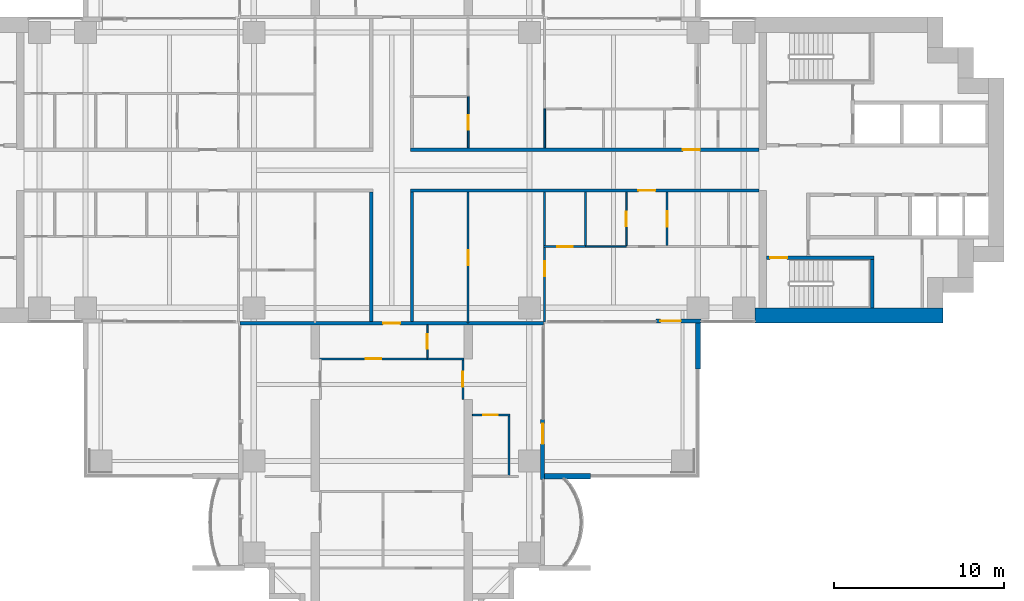
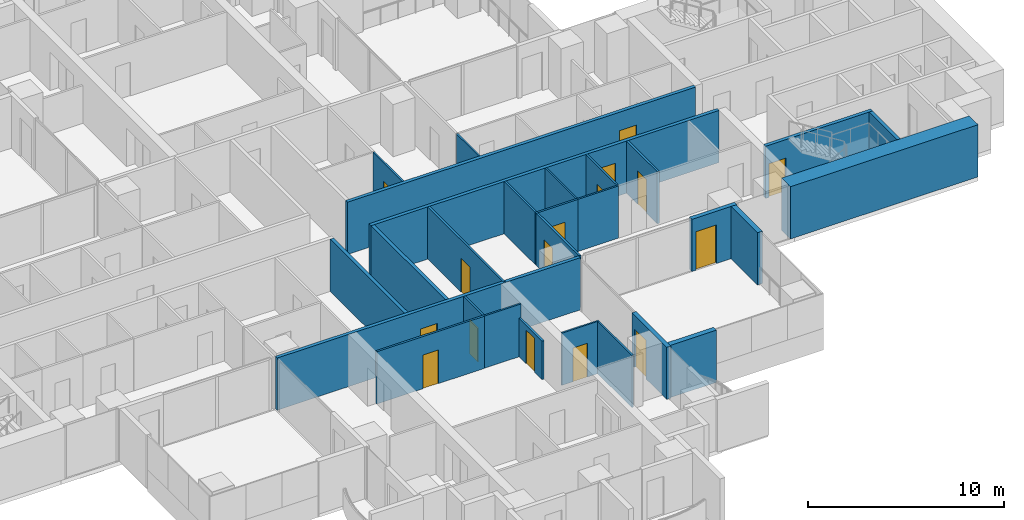
# One storey, part 12 of 20: 27 walls, 16 doors, 16 openings.
"""IFC4 building model written with IfcOpenShell, lengths in metres."""

from ifc_helpers import new_model, si_unit, direction, frame, frame_2d, origin, place, context, subcontext, project, spatial, rectangle, extrude, material, layer, layer_set, type_object, element, fill, save


model = new_model("IFC4")

# Units and contexts
model_context = context("Model", 3, precision=1e-05, world=origin(), true_north=direction((0.0, 1.0)))
body_context = subcontext(model_context, "Body", "Model", "MODEL_VIEW")
ifc_project = project(units=[si_unit("LENGTHUNIT", "METRE"), si_unit("AREAUNIT", "SQUARE_METRE"), si_unit("VOLUMEUNIT", "CUBIC_METRE"), si_unit("PLANEANGLEUNIT", "RADIAN"), si_unit("MASSUNIT", "GRAM", prefix="KILO")], contexts=[model_context])

# Site, building, storey
site_placement = place(None, origin())
site = spatial("IfcSite", under=ifc_project, at=site_placement, CompositionType="ELEMENT")
building_placement = place(site_placement, origin())
building = spatial("IfcBuilding", under=site, at=building_placement, Name="Perihelion Cross Residences", CompositionType="ELEMENT")
storey_placement = place(building_placement, frame((0.0, 0.0, 71.5)))
storey = spatial("IfcBuildingStorey", under=building, at=storey_placement, Name="L15", CompositionType="ELEMENT", Elevation=71.5)

# Wall, opening, door
ifc_material_1 = material(Name="Plasterboard partition")
ifc_layer_1 = layer(ifc_material_1, 0.199951171875)
ifc_layer_set_1 = layer_set([ifc_layer_1], Name="Apartment separation wall 200")
wall_type_1 = type_object("IfcWallType", Name="Apartment separation wall 200", PredefinedType="PARTITIONING", material=ifc_layer_set_1)
wall_1_placement = place(storey_placement, frame((1.10009765625, 1.199951171875, 0.0), z_axis=(0.0, 0.0, 1.0), x_axis=(1.0, 0.0, 0.0)))
wall_1 = element("IfcWall", 1, at=wall_1_placement, inside=storey, type_object=wall_type_1, Name="Partition L15 W001", PredefinedType="PARTITIONING", context=body_context, shape_type="SweptSolid", body=[
    extrude(rectangle(XDim=20.5, YDim=0.199951171875, at=frame_2d((10.25, 0.0))), origin(), (0.0, 0.0, 1.0), 3.25),
])
opening_1_placement = place(wall_1_placement, frame((16.02490234375, 0.0, 0.0)))
opening_1 = element("IfcOpeningElement", 2, at=opening_1_placement, cuts=wall_1, Name="Opening L15.A46", PredefinedType="OPENING", context=body_context, shape_type="SweptSolid", body=[
    extrude(rectangle(XDim=1.0, YDim=2.10009765625, at=frame_2d((0.5, 1.050048828125))), frame((0.0, 0.10986328125, 0.0), z_axis=(0.0, -1.0, 0.0), x_axis=(1.0, 0.0, 0.0)), (0.0, 0.0, 1.0), 0.219970703125),
])
ifc_material_2 = material(Name="Timber door leaf", Category="wood")
door_type_1 = type_object("IfcDoorType", Name="Flat entrance door 1000 x 2100", OperationType="SINGLE_SWING_LEFT", PredefinedType="DOOR", material=ifc_material_2)
door_1_placement = place(opening_1_placement, origin())
door_1 = element("IfcDoor", 3, at=door_1_placement, inside=storey, type_object=door_type_1, Name="Door L15.A46", OperationType="SINGLE_SWING_RIGHT", OverallHeight=2.10009765625, OverallWidth=1.0, PredefinedType="DOOR", context=body_context, shape_type="SweptSolid", body=[
    extrude(rectangle(XDim=1.0, YDim=2.10009765625, at=frame_2d((0.5, 1.050048828125))), frame((0.0, 0.02490234375, 0.0), z_axis=(0.0, -1.0, 0.0), x_axis=(1.0, 0.0, 0.0)), (0.0, 0.0, 1.0), 0.050048828125),
])
fill(opening_1, door_1)

wall_2_placement = place(storey_placement, frame((21.60009765625, -1.199951171875, 0.0), z_axis=(0.0, 0.0, 1.0), x_axis=(-1.0, 0.0, 0.0)))
wall_2 = element("IfcWall", 4, at=wall_2_placement, inside=storey, type_object=wall_type_1, Name="Partition L15 W003", PredefinedType="PARTITIONING", context=body_context, shape_type="SweptSolid", body=[
    extrude(rectangle(XDim=20.5, YDim=0.199951171875, at=frame_2d((10.25, 0.0))), origin(), (0.0, 0.0, 1.0), 3.25),
])
opening_2_placement = place(wall_2_placement, frame((6.10009765625, 0.0, 0.0)))
opening_2 = element("IfcOpeningElement", 5, at=opening_2_placement, cuts=wall_2, Name="Opening L15.A47", PredefinedType="OPENING", context=body_context, shape_type="SweptSolid", body=[
    extrude(rectangle(XDim=1.0, YDim=2.10009765625, at=frame_2d((0.5, 1.050048828125))), frame((0.0, 0.10986328125, 0.0), z_axis=(0.0, -1.0, 0.0), x_axis=(1.0, 0.0, 0.0)), (0.0, 0.0, 1.0), 0.219970703125),
])
door_2_placement = place(opening_2_placement, origin())
door_2 = element("IfcDoor", 6, at=door_2_placement, inside=storey, type_object=door_type_1, Name="Door L15.A47", OperationType="SINGLE_SWING_LEFT", OverallHeight=2.10009765625, OverallWidth=1.0, PredefinedType="DOOR", context=body_context, shape_type="SweptSolid", body=[
    extrude(rectangle(XDim=1.0, YDim=2.10009765625, at=frame_2d((0.5, 1.050048828125))), frame((0.0, 0.02490234375, 0.0), z_axis=(0.0, -1.0, 0.0), x_axis=(1.0, 0.0, 0.0)), (0.0, 0.0, 1.0), 0.050048828125),
])
fill(opening_2, door_2)

# Walls
for number, where, z_axis, x_axis, name in (
    (7, (1.199951171875, -1.300048828125, 0.0), (0.0, 0.0, 1.0), (0.0, -1.0, 0.0), "Partition L15 W004"),
    (8, (-1.199951171875, -8.89990234375, 0.0), (0.0, 0.0, 1.0), (0.0, 1.0, 0.0), "Partition L15 W008"),
):
    element("IfcWall", number, at=place(storey_placement, frame(where, z_axis=z_axis, x_axis=x_axis)), inside=storey, type_object=wall_type_1, Name=name, PredefinedType="PARTITIONING", context=body_context, shape_type="SweptSolid", body=[
        extrude(rectangle(XDim=7.599853515625, YDim=0.199951171875, at=frame_2d((3.7998046875, 0.0))), origin(), (0.0, 0.0, 1.0), 3.25),
    ])

# Wall, opening, door
wall_3_placement = place(storey_placement, frame((8.919921875, -9.0, 0.0), z_axis=(0.0, 0.0, 1.0), x_axis=(-1.0, 0.0, 0.0)))
wall_3 = element("IfcWall", 9, at=wall_3_placement, inside=storey, type_object=wall_type_1, Name="Partition L15 W010", PredefinedType="PARTITIONING", context=body_context, shape_type="SweptSolid", body=[
    extrude(rectangle(XDim=17.83984375, YDim=0.199951171875, at=frame_2d((8.919921875, 0.0))), origin(), (0.0, 0.0, 1.0), 3.25),
])
opening_3_placement = place(wall_3_placement, frame((8.419921875, 0.0, 0.0)))
opening_3 = element("IfcOpeningElement", 10, at=opening_3_placement, cuts=wall_3, Name="Opening L15.A39", PredefinedType="OPENING", context=body_context, shape_type="SweptSolid", body=[
    extrude(rectangle(XDim=1.0, YDim=2.10009765625, at=frame_2d((0.5, 1.050048828125))), frame((0.0, 0.10986328125, 0.0), z_axis=(0.0, -1.0, 0.0), x_axis=(1.0, 0.0, 0.0)), (0.0, 0.0, 1.0), 0.219970703125),
])
door_3_placement = place(opening_3_placement, origin())
door_3 = element("IfcDoor", 11, at=door_3_placement, inside=storey, type_object=door_type_1, Name="Door L15.A39", OperationType="SINGLE_SWING_LEFT", OverallHeight=2.10009765625, OverallWidth=1.0, PredefinedType="DOOR", context=body_context, shape_type="SweptSolid", body=[
    extrude(rectangle(XDim=1.0, YDim=2.10009765625, at=frame_2d((0.5, 1.050048828125))), frame((0.0, 0.02490234375, 0.0), z_axis=(0.0, -1.0, 0.0), x_axis=(1.0, 0.0, 0.0)), (0.0, 0.0, 1.0), 0.050048828125),
])
fill(opening_3, door_3)

ifc_material_3 = material(Name="Concrete C30/37, bronze-clad", Category="concrete")
ifc_layer_2 = layer(ifc_material_3, 0.25)
ifc_layer_set_2 = layer_set([ifc_layer_2], Name="Bronze-clad pier wall 250")
wall_type_2 = type_object("IfcWallType", Name="Bronze-clad pier wall 250", PredefinedType="SOLIDWALL", material=ifc_layer_set_2)
wall_4_placement = place(storey_placement, frame((8.875, -18.199951171875, 0.0), z_axis=(0.0, 0.0, 1.0), x_axis=(0.0, 1.0, 0.0)))
wall_4 = element("IfcWall", 12, at=wall_4_placement, inside=storey, type_object=wall_type_2, Name="Wall FW1 L15 south side east bay 2 pier", PredefinedType="SOLIDWALL", context=body_context, shape_type="SweptSolid", body=[
    extrude(rectangle(XDim=3.550048828125, YDim=0.25, at=frame_2d((1.77490234375, 0.0))), origin(), (0.0, 0.0, 1.0), 3.25),
])
opening_4_placement = place(wall_4_placement, frame((2.10009765625, 0.0, 0.0)))
opening_4 = element("IfcOpeningElement", 13, at=opening_4_placement, cuts=wall_4, Name="Opening L15.E15", PredefinedType="OPENING", context=body_context, shape_type="SweptSolid", body=[
    extrude(rectangle(XDim=1.199951171875, YDim=2.39990234375, at=frame_2d((0.60009765625, 1.199951171875))), frame((0.0, 0.135009765625, 0.0), z_axis=(0.0, -1.0, 0.0), x_axis=(1.0, 0.0, 0.0)), (0.0, 0.0, 1.0), 0.27001953125),
])
ifc_material_4 = material(Name="Bronze anodised aluminium, glazed", Category="aluminium")
door_type_2 = type_object("IfcDoorType", Name="Balcony door 1200 x 2400", OperationType="NOTDEFINED", PredefinedType="DOOR", material=ifc_material_4)
door_4_placement = place(opening_4_placement, origin())
door_4 = element("IfcDoor", 14, at=door_4_placement, inside=storey, type_object=door_type_2, Name="Door L15.E15 south side east bay 2", OperationType="SINGLE_SWING_RIGHT", OverallHeight=2.39990234375, OverallWidth=1.199951171875, PredefinedType="DOOR", context=body_context, shape_type="SweptSolid", body=[
    extrude(rectangle(XDim=1.199951171875, YDim=2.39990234375, at=frame_2d((0.60009765625, 1.199951171875))), frame((0.0, 0.02490234375, 0.0), z_axis=(0.0, -1.0, 0.0), x_axis=(1.0, 0.0, 0.0)), (0.0, 0.0, 1.0), 0.050048828125),
])
fill(opening_4, door_4)

wall_5_placement = place(storey_placement, frame((15.550048828125, -8.875, 0.0), z_axis=(0.0, 0.0, 1.0), x_axis=(1.0, 0.0, 0.0)))
wall_5 = element("IfcWall", 15, at=wall_5_placement, inside=storey, type_object=wall_type_2, Name="Wall FW1 L15 east side south bay 1 pier", PredefinedType="SOLIDWALL", context=body_context, shape_type="SweptSolid", body=[
    extrude(rectangle(XDim=2.64990234375, YDim=0.25, at=frame_2d((1.324951171875, 0.0))), origin(), (0.0, 0.0, 1.0), 3.25),
])
opening_5_placement = place(wall_5_placement, frame((0.25, 0.0, 0.0)))
opening_5 = element("IfcOpeningElement", 16, at=opening_5_placement, cuts=wall_5, Name="Opening L15.E16", PredefinedType="OPENING", context=body_context, shape_type="SweptSolid", body=[
    extrude(rectangle(XDim=1.199951171875, YDim=2.39990234375, at=frame_2d((0.60009765625, 1.199951171875))), frame((0.0, 0.135009765625, 0.0), z_axis=(0.0, -1.0, 0.0), x_axis=(1.0, 0.0, 0.0)), (0.0, 0.0, 1.0), 0.27001953125),
])
door_5_placement = place(opening_5_placement, origin())
door_5 = element("IfcDoor", 17, at=door_5_placement, inside=storey, type_object=door_type_2, Name="Door L15.E16 east side south bay 1", OperationType="SINGLE_SWING_LEFT", OverallHeight=2.39990234375, OverallWidth=1.199951171875, PredefinedType="DOOR", context=body_context, shape_type="SweptSolid", body=[
    extrude(rectangle(XDim=1.199951171875, YDim=2.39990234375, at=frame_2d((0.60009765625, 1.199951171875))), frame((0.0, 0.02490234375, 0.0), z_axis=(0.0, -1.0, 0.0), x_axis=(1.0, 0.0, 0.0)), (0.0, 0.0, 1.0), 0.050048828125),
])
fill(opening_5, door_5)

# Wall
ifc_material_5 = material(Name="Concrete C60/75", Category="concrete")
ifc_layer_3 = layer(ifc_material_5, 0.89990234375)
ifc_layer_set_3 = layer_set([ifc_layer_3], Name="Core wall, outer 900")
wall_type_3 = type_object("IfcWallType", Name="Core wall, outer 900", PredefinedType="SHEAR", material=ifc_layer_set_3)
wall_6_placement = place(storey_placement, frame((21.35009765625, -8.550048828125, 0.0), z_axis=(0.0, 0.0, 1.0), x_axis=(1.0, 0.0, 0.0)))
element("IfcWall", 18, at=wall_6_placement, inside=storey, type_object=wall_type_3, Name="East core core wall, outer", PredefinedType="SHEAR", context=body_context, shape_type="SweptSolid", body=[
    extrude(rectangle(XDim=11.0498046875, YDim=0.89990234375, at=frame_2d((5.52490234375, 0.0))), origin(), (0.0, 0.0, 1.0), 3.25),
])

# Wall, opening, door
ifc_material_6 = material(Name="Plasterboard partition")
ifc_layer_4 = layer(ifc_material_6, 0.1201171875)
ifc_layer_set_4 = layer_set([ifc_layer_4], Name="Infill panel 120")
wall_type_4 = type_object("IfcWallType", Name="Infill panel 120", PredefinedType="PARTITIONING", material=ifc_layer_set_4)
wall_7_placement = place(storey_placement, frame((4.18994140625, -11.10009765625, 0.0), z_axis=(0.0, 0.0, 1.0), x_axis=(0.0, -1.0, 0.0)))
wall_7 = element("IfcWall", 19, at=wall_7_placement, inside=storey, type_object=wall_type_4, Name="Partition L15 WI05", PredefinedType="PARTITIONING", context=body_context, shape_type="SweptSolid", body=[
    extrude(rectangle(XDim=2.39990234375, YDim=0.1201171875, at=frame_2d((1.199951171875, 0.0))), origin(), (0.0, 0.0, 1.0), 2.39990234375),
])
opening_6_placement = place(wall_7_placement, frame((0.75, 0.0, 0.0)))
opening_6 = element("IfcOpeningElement", 20, at=opening_6_placement, cuts=wall_7, Name="Opening L15.A54", PredefinedType="OPENING", context=body_context, shape_type="SweptSolid", body=[
    extrude(rectangle(XDim=0.89990234375, YDim=2.10009765625, at=frame_2d((0.449951171875, 1.050048828125))), frame((0.0, 0.070068359375, 0.0), z_axis=(0.0, -1.0, 0.0), x_axis=(1.0, 0.0, 0.0)), (0.0, 0.0, 1.0), 0.14013671875),
])
ifc_material_7 = material(Name="Timber door leaf", Category="wood")
door_type_3 = type_object("IfcDoorType", Name="Interior room door 900 x 2100", OperationType="SINGLE_SWING_LEFT", PredefinedType="DOOR", material=ifc_material_7)
door_6_placement = place(opening_6_placement, origin())
door_6 = element("IfcDoor", 21, at=door_6_placement, inside=storey, type_object=door_type_3, Name="Door L15.A54", OperationType="SINGLE_SWING_LEFT", OverallHeight=2.10009765625, OverallWidth=0.89990234375, PredefinedType="DOOR", context=body_context, shape_type="SweptSolid", body=[
    extrude(rectangle(XDim=0.89990234375, YDim=2.10009765625, at=frame_2d((0.449951171875, 1.050048828125))), frame((0.0, 0.02490234375, 0.0), z_axis=(0.0, -1.0, 0.0), x_axis=(1.0, 0.0, 0.0)), (0.0, 0.0, 1.0), 0.050048828125),
])
fill(opening_6, door_6)

ifc_material_8 = material(Name="Plasterboard partition")
ifc_layer_5 = layer(ifc_material_8, 0.1201171875)
ifc_layer_set_5 = layer_set([ifc_layer_5], Name="Partition wall 120")
wall_type_5 = type_object("IfcWallType", Name="Partition wall 120", PredefinedType="PARTITIONING", material=ifc_layer_set_5)
wall_8_placement = place(storey_placement, frame((11.39990234375, -4.5, 0.0), z_axis=(0.0, 0.0, 1.0), x_axis=(-1.0, 0.0, 0.0)))
wall_8 = element("IfcWall", 22, at=wall_8_placement, inside=storey, type_object=wall_type_5, Name="Partition L15 W023", PredefinedType="PARTITIONING", context=body_context, shape_type="SweptSolid", body=[
    extrude(rectangle(XDim=2.4599609375, YDim=0.1201171875, at=frame_2d((1.22998046875, 0.0))), origin(), (0.0, 0.0, 1.0), 3.25),
])
opening_7_placement = place(wall_8_placement, frame((0.75, 0.0, 0.0)))
opening_7 = element("IfcOpeningElement", 23, at=opening_7_placement, cuts=wall_8, Name="Opening L15.A15", PredefinedType="OPENING", context=body_context, shape_type="SweptSolid", body=[
    extrude(rectangle(XDim=0.89990234375, YDim=2.10009765625, at=frame_2d((0.449951171875, 1.050048828125))), frame((0.0, 0.070068359375, 0.0), z_axis=(0.0, -1.0, 0.0), x_axis=(1.0, 0.0, 0.0)), (0.0, 0.0, 1.0), 0.14013671875),
])
door_7_placement = place(opening_7_placement, origin())
door_7 = element("IfcDoor", 24, at=door_7_placement, inside=storey, type_object=door_type_3, Name="Door L15.A15", OperationType="SINGLE_SWING_RIGHT", OverallHeight=2.10009765625, OverallWidth=0.89990234375, PredefinedType="DOOR", context=body_context, shape_type="SweptSolid", body=[
    extrude(rectangle(XDim=0.89990234375, YDim=2.10009765625, at=frame_2d((0.449951171875, 1.050048828125))), frame((0.0, 0.02490234375, 0.0), z_axis=(0.0, -1.0, 0.0), x_axis=(1.0, 0.0, 0.0)), (0.0, 0.0, 1.0), 0.050048828125),
])
fill(opening_7, door_7)

wall_9_placement = place(storey_placement, frame((9.0, -8.919921875, 0.0), z_axis=(0.0, 0.0, 1.0), x_axis=(0.0, 1.0, 0.0)))
wall_9 = element("IfcWall", 25, at=wall_9_placement, inside=storey, type_object=wall_type_5, Name="Partition L15 W024", PredefinedType="PARTITIONING", context=body_context, shape_type="SweptSolid", body=[
    extrude(rectangle(XDim=7.619873046875, YDim=0.1201171875, at=frame_2d((3.81005859375, 0.0))), origin(), (0.0, 0.0, 1.0), 3.25),
])
opening_8_placement = place(wall_9_placement, frame((2.669921875, 0.0, 0.0)))
opening_8 = element("IfcOpeningElement", 26, at=opening_8_placement, cuts=wall_9, Name="Opening L15.A14", PredefinedType="OPENING", context=body_context, shape_type="SweptSolid", body=[
    extrude(rectangle(XDim=0.89990234375, YDim=2.10009765625, at=frame_2d((0.449951171875, 1.050048828125))), frame((0.0, 0.070068359375, 0.0), z_axis=(0.0, -1.0, 0.0), x_axis=(1.0, 0.0, 0.0)), (0.0, 0.0, 1.0), 0.14013671875),
])
door_8_placement = place(opening_8_placement, origin())
door_8 = element("IfcDoor", 27, at=door_8_placement, inside=storey, type_object=door_type_3, Name="Door L15.A14", OperationType="SINGLE_SWING_RIGHT", OverallHeight=2.10009765625, OverallWidth=0.89990234375, PredefinedType="DOOR", context=body_context, shape_type="SweptSolid", body=[
    extrude(rectangle(XDim=0.89990234375, YDim=2.10009765625, at=frame_2d((0.449951171875, 1.050048828125))), frame((0.0, 0.02490234375, 0.0), z_axis=(0.0, -1.0, 0.0), x_axis=(1.0, 0.0, 0.0)), (0.0, 0.0, 1.0), 0.050048828125),
])
fill(opening_8, door_8)

wall_10_placement = place(storey_placement, frame((16.199951171875, -1.300048828125, 0.0), z_axis=(0.0, 0.0, 1.0), x_axis=(0.0, -1.0, 0.0)))
wall_10 = element("IfcWall", 28, at=wall_10_placement, inside=storey, type_object=wall_type_5, Name="Partition L15 W027", PredefinedType="PARTITIONING", context=body_context, shape_type="SweptSolid", body=[
    extrude(rectangle(XDim=3.139892578125, YDim=0.1201171875, at=frame_2d((1.56982421875, 0.0))), origin(), (0.0, 0.0, 1.0), 3.25),
])
opening_9_placement = place(wall_10_placement, frame((1.1201171875, 0.0, 0.0)))
opening_9 = element("IfcOpeningElement", 29, at=opening_9_placement, cuts=wall_10, Name="Opening L15.A11", PredefinedType="OPENING", context=body_context, shape_type="SweptSolid", body=[
    extrude(rectangle(XDim=0.89990234375, YDim=2.10009765625, at=frame_2d((0.449951171875, 1.050048828125))), frame((0.0, 0.070068359375, 0.0), z_axis=(0.0, -1.0, 0.0), x_axis=(1.0, 0.0, 0.0)), (0.0, 0.0, 1.0), 0.14013671875),
])
door_9_placement = place(opening_9_placement, origin())
door_9 = element("IfcDoor", 30, at=door_9_placement, inside=storey, type_object=door_type_3, Name="Door L15.A11", OperationType="SINGLE_SWING_RIGHT", OverallHeight=2.10009765625, OverallWidth=0.89990234375, PredefinedType="DOOR", context=body_context, shape_type="SweptSolid", body=[
    extrude(rectangle(XDim=0.89990234375, YDim=2.10009765625, at=frame_2d((0.449951171875, 1.050048828125))), frame((0.0, 0.02490234375, 0.0), z_axis=(0.0, -1.0, 0.0), x_axis=(1.0, 0.0, 0.0)), (0.0, 0.0, 1.0), 0.050048828125),
])
fill(opening_9, door_9)

wall_11_placement = place(storey_placement, frame((4.5, -9.0, 0.0), z_axis=(0.0, 0.0, 1.0), x_axis=(0.0, 1.0, 0.0)))
wall_11 = element("IfcWall", 31, at=wall_11_placement, inside=storey, type_object=wall_type_5, Name="Partition L15 W030", PredefinedType="PARTITIONING", context=body_context, shape_type="SweptSolid", body=[
    extrude(rectangle(XDim=7.699951171875, YDim=0.1201171875, at=frame_2d((3.85009765625, 0.0))), origin(), (0.0, 0.0, 1.0), 3.25),
])
opening_10_placement = place(wall_11_placement, frame((3.39990234375, 0.0, 0.0)))
opening_10 = element("IfcOpeningElement", 32, at=opening_10_placement, cuts=wall_11, Name="Opening L15.A10", PredefinedType="OPENING", context=body_context, shape_type="SweptSolid", body=[
    extrude(rectangle(XDim=0.89990234375, YDim=2.10009765625, at=frame_2d((0.449951171875, 1.050048828125))), frame((0.0, 0.070068359375, 0.0), z_axis=(0.0, -1.0, 0.0), x_axis=(1.0, 0.0, 0.0)), (0.0, 0.0, 1.0), 0.14013671875),
])
door_10_placement = place(opening_10_placement, origin())
door_10 = element("IfcDoor", 33, at=door_10_placement, inside=storey, type_object=door_type_3, Name="Door L15.A10", OperationType="SINGLE_SWING_LEFT", OverallHeight=2.10009765625, OverallWidth=0.89990234375, PredefinedType="DOOR", context=body_context, shape_type="SweptSolid", body=[
    extrude(rectangle(XDim=0.89990234375, YDim=2.10009765625, at=frame_2d((0.449951171875, 1.050048828125))), frame((0.0, 0.02490234375, 0.0), z_axis=(0.0, -1.0, 0.0), x_axis=(1.0, 0.0, 0.0)), (0.0, 0.0, 1.0), 0.050048828125),
])
fill(opening_10, door_10)

wall_12_placement = place(storey_placement, frame((2.10009765625, -11.10009765625, 0.0), z_axis=(0.0, 0.0, 1.0), x_axis=(-1.0, 0.0, 0.0)))
wall_12 = element("IfcWall", 34, at=wall_12_placement, inside=storey, type_object=wall_type_5, Name="Partition L15 W067", PredefinedType="PARTITIONING", context=body_context, shape_type="SweptSolid", body=[
    extrude(rectangle(XDim=6.35009765625, YDim=0.1201171875, at=frame_2d((3.175048828125, 0.0))), origin(), (0.0, 0.0, 1.0), 3.25),
])
opening_11_placement = place(wall_12_placement, frame((2.72509765625, 0.0, 0.0)))
opening_11 = element("IfcOpeningElement", 35, at=opening_11_placement, cuts=wall_12, Name="Opening L15.A41", PredefinedType="OPENING", context=body_context, shape_type="SweptSolid", body=[
    extrude(rectangle(XDim=0.89990234375, YDim=2.10009765625, at=frame_2d((0.449951171875, 1.050048828125))), frame((0.0, 0.070068359375, 0.0), z_axis=(0.0, -1.0, 0.0), x_axis=(1.0, 0.0, 0.0)), (0.0, 0.0, 1.0), 0.14013671875),
])
door_11_placement = place(opening_11_placement, origin())
door_11 = element("IfcDoor", 36, at=door_11_placement, inside=storey, type_object=door_type_3, Name="Door L15.A41", OperationType="SINGLE_SWING_LEFT", OverallHeight=2.10009765625, OverallWidth=0.89990234375, PredefinedType="DOOR", context=body_context, shape_type="SweptSolid", body=[
    extrude(rectangle(XDim=0.89990234375, YDim=2.10009765625, at=frame_2d((0.449951171875, 1.050048828125))), frame((0.0, 0.02490234375, 0.0), z_axis=(0.0, -1.0, 0.0), x_axis=(1.0, 0.0, 0.0)), (0.0, 0.0, 1.0), 0.050048828125),
])
fill(opening_11, door_11)

# Walls
ifc_material_9 = material(Name="Precast concrete C50/60", Category="concrete")
ifc_layer_6 = layer(ifc_material_9, 0.300048828125)
ifc_layer_set_6 = layer_set([ifc_layer_6], Name="Precast concrete C50/60 blade wall 300")
wall_type_6 = type_object("IfcWallType", Name="Precast concrete C50/60 blade wall 300", PredefinedType="SOLIDWALL", material=ifc_layer_set_6)
wall_13_placement = place(storey_placement, frame((9.0, -18.0, 0.0), z_axis=(0.0, 0.0, 1.0), x_axis=(1.0, 0.0, 0.0)))
element("IfcWall", 37, at=wall_13_placement, inside=storey, type_object=wall_type_6, Name="Wall BL1 L15 no. 15", PredefinedType="SOLIDWALL", context=body_context, shape_type="SweptSolid", body=[
    extrude(rectangle(XDim=2.699951171875, YDim=0.300048828125, at=frame_2d((1.35009765625, 0.0))), origin(), (0.0, 0.0, 1.0), 3.25),
])
wall_14_placement = place(storey_placement, frame((18.0, -8.75, 0.0), z_axis=(0.0, 0.0, 1.0), x_axis=(0.0, -1.0, 0.0)))
element("IfcWall", 38, at=wall_14_placement, inside=storey, type_object=wall_type_6, Name="Wall BL1 L15 no. 11", PredefinedType="SOLIDWALL", context=body_context, shape_type="SweptSolid", body=[
    extrude(rectangle(XDim=2.949951171875, YDim=0.300048828125, at=frame_2d((1.47509765625, 0.0))), origin(), (0.0, 0.0, 1.0), 3.25),
])

# Wall, opening, door
ifc_material_10 = material(Name="Concrete C50/60", Category="concrete")
ifc_layer_7 = layer(ifc_material_10, 0.199951171875)
ifc_layer_set_7 = layer_set([ifc_layer_7], Name="Stair wall 200")
wall_type_7 = type_object("IfcWallType", Name="Stair wall 200", PredefinedType="SOLIDWALL", material=ifc_layer_set_7)
wall_15_placement = place(storey_placement, frame((22.050048828125, -5.14990234375, 0.0), z_axis=(0.0, 0.0, 1.0), x_axis=(1.0, 0.0, 0.0)))
wall_15 = element("IfcWall", 39, at=wall_15_placement, inside=storey, type_object=wall_type_7, Name="East core stair wall", PredefinedType="SOLIDWALL", context=body_context, shape_type="SweptSolid", body=[
    extrude(rectangle(XDim=6.300048828125, YDim=0.199951171875, at=frame_2d((3.14990234375, 0.0))), origin(), (0.0, 0.0, 1.0), 3.25),
])
opening_12_placement = place(wall_15_placement, frame((0.199951171875, 0.0, 0.0)))
opening_12 = element("IfcOpeningElement", 40, at=opening_12_placement, cuts=wall_15, Name="Opening L15.C05", PredefinedType="OPENING", context=body_context, shape_type="SweptSolid", body=[
    extrude(rectangle(XDim=1.0, YDim=2.10009765625, at=frame_2d((0.5, 1.050048828125))), frame((0.0, 0.10986328125, 0.0), z_axis=(0.0, -1.0, 0.0), x_axis=(1.0, 0.0, 0.0)), (0.0, 0.0, 1.0), 0.219970703125),
])
ifc_material_11 = material(Name="Steel, powder coated", Category="steel")
door_type_4 = type_object("IfcDoorType", Name="Stair door 1000", OperationType="SINGLE_SWING_LEFT", PredefinedType="DOOR", material=ifc_material_11)
door_12_placement = place(opening_12_placement, origin())
door_12 = element("IfcDoor", 41, at=door_12_placement, inside=storey, type_object=door_type_4, Name="East core stair door", OperationType="SINGLE_SWING_LEFT", OverallHeight=2.10009765625, OverallWidth=1.0, PredefinedType="DOOR", context=body_context, shape_type="SweptSolid", body=[
    extrude(rectangle(XDim=1.0, YDim=2.10009765625, at=frame_2d((0.5, 1.050048828125))), frame((0.0, 0.02490234375, 0.0), z_axis=(0.0, -1.0, 0.0), x_axis=(1.0, 0.0, 0.0)), (0.0, 0.0, 1.0), 0.050048828125),
])
fill(opening_12, door_12)

# Walls
wall_16_placement = place(storey_placement, frame((28.25, -8.10009765625, 0.0), z_axis=(0.0, 0.0, 1.0), x_axis=(0.0, 1.0, 0.0)))
element("IfcWall", 42, at=wall_16_placement, inside=storey, type_object=wall_type_7, Name="East core stair wall", PredefinedType="SOLIDWALL", context=body_context, shape_type="SweptSolid", body=[
    extrude(rectangle(XDim=2.85009765625, YDim=0.199951171875, at=frame_2d((1.425048828125, 0.0))), origin(), (0.0, 0.0, 1.0), 3.25),
])
ifc_material_12 = material(Name="Plasterboard partition")
ifc_layer_8 = layer(ifc_material_12, 0.10009765625)
ifc_layer_set_8 = layer_set([ifc_layer_8], Name="Wet room wall 100")
wall_type_8 = type_object("IfcWallType", Name="Wet room wall 100", PredefinedType="PARTITIONING", material=ifc_layer_set_8)
wall_17_placement = place(storey_placement, frame((9.0, 1.300048828125, 0.0), z_axis=(0.0, 0.0, 1.0), x_axis=(0.0, 1.0, 0.0)))
element("IfcWall", 43, at=wall_17_placement, inside=storey, type_object=wall_type_8, Name="Partition L15 W013", PredefinedType="PARTITIONING", context=body_context, shape_type="SweptSolid", body=[
    extrude(rectangle(XDim=2.300048828125, YDim=0.10009765625, at=frame_2d((1.14990234375, 0.0))), origin(), (0.0, 0.0, 1.0), 3.25),
])

# Wall, opening, door
wall_18_placement = place(storey_placement, frame((4.5, 1.300048828125, 0.0), z_axis=(0.0, 0.0, 1.0), x_axis=(0.0, 1.0, 0.0)))
wall_18 = element("IfcWall", 44, at=wall_18_placement, inside=storey, type_object=wall_type_8, Name="Partition L15 W019", PredefinedType="PARTITIONING", context=body_context, shape_type="SweptSolid", body=[
    extrude(rectangle(XDim=3.02001953125, YDim=0.10009765625, at=frame_2d((1.510009765625, 0.0))), origin(), (0.0, 0.0, 1.0), 3.25),
])
opening_13_placement = place(wall_18_placement, frame((1.0849609375, 0.0, 0.0)))
opening_13 = element("IfcOpeningElement", 45, at=opening_13_placement, cuts=wall_18, Name="Opening L15.A07", PredefinedType="OPENING", context=body_context, shape_type="SweptSolid", body=[
    extrude(rectangle(XDim=0.85009765625, YDim=2.10009765625, at=frame_2d((0.425048828125, 1.050048828125))), frame((0.0, 0.06005859375, 0.0), z_axis=(0.0, -1.0, 0.0), x_axis=(1.0, 0.0, 0.0)), (0.0, 0.0, 1.0), 0.1201171875),
])
ifc_material_13 = material(Name="Timber door leaf", Category="wood")
door_type_5 = type_object("IfcDoorType", Name="Interior bathroom door 850 x 2100", OperationType="SINGLE_SWING_LEFT", PredefinedType="DOOR", material=ifc_material_13)
door_13_placement = place(opening_13_placement, origin())
door_13 = element("IfcDoor", 46, at=door_13_placement, inside=storey, type_object=door_type_5, Name="Door L15.A07", OperationType="SINGLE_SWING_RIGHT", OverallHeight=2.10009765625, OverallWidth=0.85009765625, PredefinedType="DOOR", context=body_context, shape_type="SweptSolid", body=[
    extrude(rectangle(XDim=0.85009765625, YDim=2.10009765625, at=frame_2d((0.425048828125, 1.050048828125))), frame((0.0, 0.02490234375, 0.0), z_axis=(0.0, -1.0, 0.0), x_axis=(1.0, 0.0, 0.0)), (0.0, 0.0, 1.0), 0.050048828125),
])
fill(opening_13, door_13)

# Wall
wall_19_placement = place(storey_placement, frame((11.39990234375, -1.300048828125, 0.0), z_axis=(0.0, 0.0, 1.0), x_axis=(0.0, -1.0, 0.0)))
element("IfcWall", 47, at=wall_19_placement, inside=storey, type_object=wall_type_8, Name="Partition L15 W022", PredefinedType="PARTITIONING", context=body_context, shape_type="SweptSolid", body=[
    extrude(rectangle(XDim=3.139892578125, YDim=0.10009765625, at=frame_2d((1.56982421875, 0.0))), origin(), (0.0, 0.0, 1.0), 3.25),
])

# Wall, opening, door
wall_20_placement = place(storey_placement, frame((13.800048828125, -1.300048828125, 0.0), z_axis=(0.0, 0.0, 1.0), x_axis=(0.0, -1.0, 0.0)))
wall_20 = element("IfcWall", 48, at=wall_20_placement, inside=storey, type_object=wall_type_8, Name="Partition L15 W025", PredefinedType="PARTITIONING", context=body_context, shape_type="SweptSolid", body=[
    extrude(rectangle(XDim=3.139892578125, YDim=0.10009765625, at=frame_2d((1.56982421875, 0.0))), origin(), (0.0, 0.0, 1.0), 3.25),
])
opening_14_placement = place(wall_20_placement, frame((1.14501953125, 0.0, 0.0)))
opening_14 = element("IfcOpeningElement", 49, at=opening_14_placement, cuts=wall_20, Name="Opening L15.A09", PredefinedType="OPENING", context=body_context, shape_type="SweptSolid", body=[
    extrude(rectangle(XDim=0.85009765625, YDim=2.10009765625, at=frame_2d((0.425048828125, 1.050048828125))), frame((0.0, 0.06005859375, 0.0), z_axis=(0.0, -1.0, 0.0), x_axis=(1.0, 0.0, 0.0)), (0.0, 0.0, 1.0), 0.1201171875),
])
door_14_placement = place(opening_14_placement, origin())
door_14 = element("IfcDoor", 50, at=door_14_placement, inside=storey, type_object=door_type_5, Name="Door L15.A09", OperationType="SINGLE_SWING_RIGHT", OverallHeight=2.10009765625, OverallWidth=0.85009765625, PredefinedType="DOOR", context=body_context, shape_type="SweptSolid", body=[
    extrude(rectangle(XDim=0.85009765625, YDim=2.10009765625, at=frame_2d((0.425048828125, 1.050048828125))), frame((0.0, 0.02490234375, 0.0), z_axis=(0.0, -1.0, 0.0), x_axis=(1.0, 0.0, 0.0)), (0.0, 0.0, 1.0), 0.050048828125),
])
fill(opening_14, door_14)

# Wall
wall_21_placement = place(storey_placement, frame((13.800048828125, -4.5, 0.0), z_axis=(0.0, 0.0, 1.0), x_axis=(-1.0, 0.0, 0.0)))
element("IfcWall", 51, at=wall_21_placement, inside=storey, type_object=wall_type_8, Name="Partition L15 W026", PredefinedType="PARTITIONING", context=body_context, shape_type="SweptSolid", body=[
    extrude(rectangle(XDim=2.400146484375, YDim=0.10009765625, at=frame_2d((1.2001953125, 0.0))), origin(), (0.0, 0.0, 1.0), 3.25),
])

# Wall, opening, door
wall_22_placement = place(storey_placement, frame((2.10009765625, -9.10009765625, 0.0), z_axis=(0.0, 0.0, 1.0), x_axis=(0.0, -1.0, 0.0)))
wall_22 = element("IfcWall", 52, at=wall_22_placement, inside=storey, type_object=wall_type_8, Name="Partition L15 W066", PredefinedType="PARTITIONING", context=body_context, shape_type="SweptSolid", body=[
    extrude(rectangle(XDim=1.93994140625, YDim=0.10009765625, at=frame_2d((0.969970703125, 0.0))), origin(), (0.0, 0.0, 1.0), 3.25),
])
opening_15_placement = place(wall_22_placement, frame((0.544921875, 0.0, 0.0)))
opening_15 = element("IfcOpeningElement", 53, at=opening_15_placement, cuts=wall_22, Name="Opening L15.A40", PredefinedType="OPENING", context=body_context, shape_type="SweptSolid", body=[
    extrude(rectangle(XDim=0.85009765625, YDim=2.10009765625, at=frame_2d((0.425048828125, 1.050048828125))), frame((0.0, 0.06005859375, 0.0), z_axis=(0.0, -1.0, 0.0), x_axis=(1.0, 0.0, 0.0)), (0.0, 0.0, 1.0), 0.1201171875),
])
door_15_placement = place(opening_15_placement, origin())
door_15 = element("IfcDoor", 54, at=door_15_placement, inside=storey, type_object=door_type_5, Name="Door L15.A40", OperationType="SINGLE_SWING_RIGHT", OverallHeight=2.10009765625, OverallWidth=0.85009765625, PredefinedType="DOOR", context=body_context, shape_type="SweptSolid", body=[
    extrude(rectangle(XDim=0.85009765625, YDim=2.10009765625, at=frame_2d((0.425048828125, 1.050048828125))), frame((0.0, 0.02490234375, 0.0), z_axis=(0.0, -1.0, 0.0), x_axis=(1.0, 0.0, 0.0)), (0.0, 0.0, 1.0), 0.050048828125),
])
fill(opening_15, door_15)

# Walls
wall_23_placement = place(storey_placement, frame((4.25, -11.10009765625, 0.0), z_axis=(0.0, 0.0, 1.0), x_axis=(-1.0, 0.0, 0.0)))
element("IfcWall", 55, at=wall_23_placement, inside=storey, type_object=wall_type_8, Name="Partition L15 W068", PredefinedType="PARTITIONING", context=body_context, shape_type="SweptSolid", body=[
    extrude(rectangle(XDim=2.14990234375, YDim=0.10009765625, at=frame_2d((1.074951171875, 0.0))), origin(), (0.0, 0.0, 1.0), 3.25),
])
wall_24_placement = place(storey_placement, frame((6.89990234375, -17.93994140625, 0.0), z_axis=(0.0, 0.0, 1.0), x_axis=(0.0, 1.0, 0.0)))
element("IfcWall", 56, at=wall_24_placement, inside=storey, type_object=wall_type_8, Name="Partition L15 W072", PredefinedType="PARTITIONING", context=body_context, shape_type="SweptSolid", body=[
    extrude(rectangle(XDim=3.489990234375, YDim=0.10009765625, at=frame_2d((1.7451171875, 0.0))), origin(), (0.0, 0.0, 1.0), 3.25),
])

# Wall, opening, door
wall_25_placement = place(storey_placement, frame((6.949951171875, -14.39990234375, 0.0), z_axis=(0.0, 0.0, 1.0), x_axis=(-1.0, 0.0, 0.0)))
wall_25 = element("IfcWall", 57, at=wall_25_placement, inside=storey, type_object=wall_type_8, Name="Partition L15 W073", PredefinedType="PARTITIONING", context=body_context, shape_type="SweptSolid", body=[
    extrude(rectangle(XDim=2.199951171875, YDim=0.10009765625, at=frame_2d((1.10009765625, 0.0))), origin(), (0.0, 0.0, 1.0), 3.25),
])
opening_16_placement = place(wall_25_placement, frame((0.699951171875, 0.0, 0.0)))
opening_16 = element("IfcOpeningElement", 58, at=opening_16_placement, cuts=wall_25, Name="Opening L15.A45", PredefinedType="OPENING", context=body_context, shape_type="SweptSolid", body=[
    extrude(rectangle(XDim=0.85009765625, YDim=2.10009765625, at=frame_2d((0.425048828125, 1.050048828125))), frame((0.0, 0.06005859375, 0.0), z_axis=(0.0, -1.0, 0.0), x_axis=(1.0, 0.0, 0.0)), (0.0, 0.0, 1.0), 0.1201171875),
])
door_16_placement = place(opening_16_placement, origin())
door_16 = element("IfcDoor", 59, at=door_16_placement, inside=storey, type_object=door_type_5, Name="Door L15.A45", OperationType="SINGLE_SWING_LEFT", OverallHeight=2.10009765625, OverallWidth=0.85009765625, PredefinedType="DOOR", context=body_context, shape_type="SweptSolid", body=[
    extrude(rectangle(XDim=0.85009765625, YDim=2.10009765625, at=frame_2d((0.425048828125, 1.050048828125))), frame((0.0, 0.02490234375, 0.0), z_axis=(0.0, -1.0, 0.0), x_axis=(1.0, 0.0, 0.0)), (0.0, 0.0, 1.0), 0.050048828125),
])
fill(opening_16, door_16)

save(model, "model.ifc")
